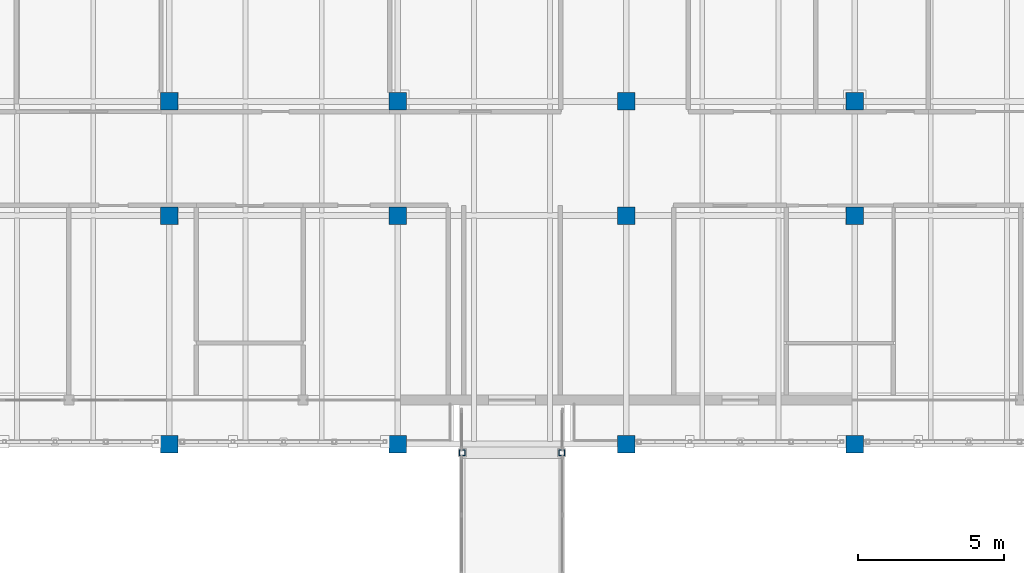
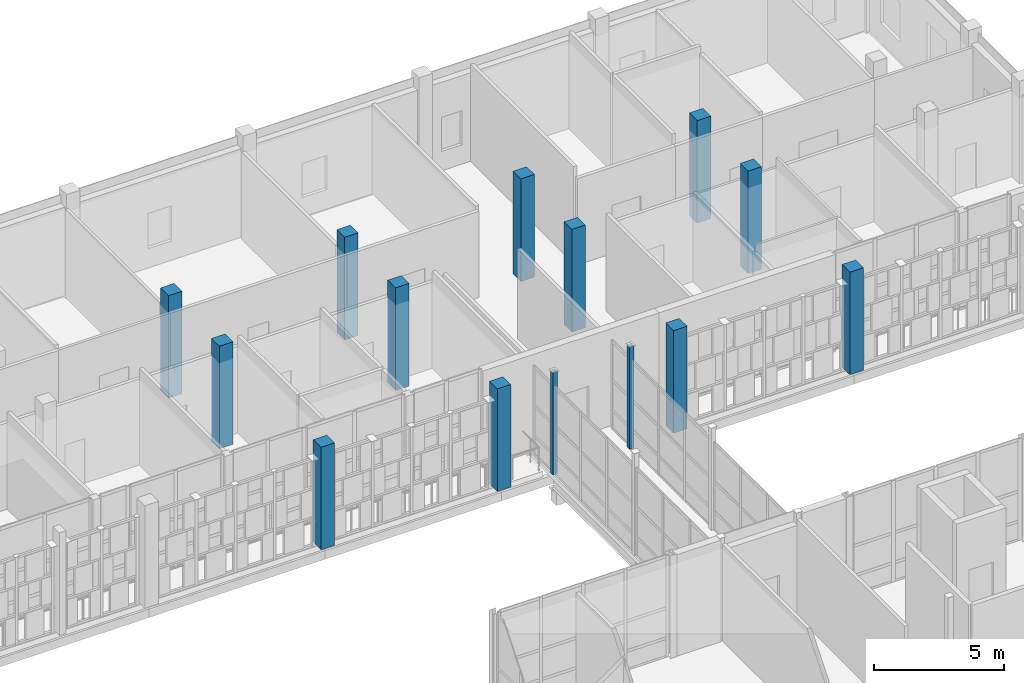
# One storey, part 19 of 138: 14 columns.
"""IFC4 building model written with IfcOpenShell, lengths in metres."""

from ifc_helpers import new_model, si_unit, direction, frame, origin, origin_2d, place, context, subcontext, project, spatial, rectangle, hollow_rectangle, extrude, material, material_profile, profile_set, type_object, element, save


model = new_model("IFC4")

# Units and contexts
model_context = context("Model", 3, precision=1e-05, world=origin(), true_north=direction((0.0, 1.0)))
body_context = subcontext(model_context, "Body", "Model", "MODEL_VIEW")
ifc_project = project(units=[si_unit("LENGTHUNIT", "METRE"), si_unit("AREAUNIT", "SQUARE_METRE"), si_unit("VOLUMEUNIT", "CUBIC_METRE"), si_unit("PLANEANGLEUNIT", "RADIAN"), si_unit("MASSUNIT", "GRAM", prefix="KILO")], contexts=[model_context])

# Site, building, storey
site_placement = place(None, origin())
site = spatial("IfcSite", under=ifc_project, at=site_placement, CompositionType="ELEMENT")
building_placement = place(site_placement, origin())
building = spatial("IfcBuilding", under=site, at=building_placement, Name="Celorna Specialist Clinic", CompositionType="ELEMENT")
storey_placement = place(building_placement, frame((0.0, 0.0, 4.800048828125)))
storey = spatial("IfcBuildingStorey", under=building, at=storey_placement, Name="L01", CompositionType="ELEMENT", Elevation=4.800048828125)

# Columns
ifc_material_1 = material(Name="Concrete C40/50", Category="concrete")
ifc_material_profile_1 = material_profile(ifc_material_1, rectangle(XDim=0.60009765625, YDim=0.60009765625, at=origin_2d()), Name="RC 600x600")
ifc_profile_set_1 = profile_set([ifc_material_profile_1], Name="Concrete C40/50")
column_type_1 = type_object("IfcColumnType", Name="CT-04", PredefinedType="COLUMN", material=ifc_profile_set_1)
for number, where, z_axis, x_axis, name in (
    (1, (132.60009765625, 96.5, 0.0), (0.0, 0.0, 1.0), (1.0, 0.0, 0.0), "Column CT-04 L01 X18/YR"),
    (2, (132.60009765625, 104.300048828125, 0.0), (0.0, 0.0, 1.0), (1.0, 0.0, 0.0), "Column CT-04 L01 X18/YS"),
    (3, (132.60009765625, 108.199951171875, 0.0), (0.0, 0.0, 1.0), (1.0, 0.0, 0.0), "Column CT-04 L01 X18/YT"),
    (4, (140.39990234375, 96.5, 0.0), (0.0, 0.0, 1.0), (1.0, 0.0, 0.0), "Column CT-04 L01 X19/YR"),
    (5, (140.39990234375, 104.300048828125, 0.0), (0.0, 0.0, 1.0), (1.0, 0.0, 0.0), "Column CT-04 L01 X19/YS"),
    (6, (140.39990234375, 108.199951171875, 0.0), (0.0, 0.0, 1.0), (1.0, 0.0, 0.0), "Column CT-04 L01 X19/YT"),
    (7, (148.199951171875, 96.5, 0.0), (0.0, 0.0, 1.0), (1.0, 0.0, 0.0), "Column CT-04 L01 X20/YR"),
    (8, (148.199951171875, 104.300048828125, 0.0), (0.0, 0.0, 1.0), (1.0, 0.0, 0.0), "Column CT-04 L01 X20/YS"),
    (9, (148.199951171875, 108.199951171875, 0.0), (0.0, 0.0, 1.0), (1.0, 0.0, 0.0), "Column CT-04 L01 X20/YT"),
    (10, (156.0, 96.5, 0.0), (0.0, 0.0, 1.0), (1.0, 0.0, 0.0), "Column CT-04 L01 X21/YR"),
    (11, (156.0, 104.300048828125, 0.0), (0.0, 0.0, 1.0), (1.0, 0.0, 0.0), "Column CT-04 L01 X21/YS"),
    (12, (156.0, 108.199951171875, 0.0), (0.0, 0.0, 1.0), (1.0, 0.0, 0.0), "Column CT-04 L01 X21/YT"),
):
    element("IfcColumn", number, at=place(storey_placement, frame(where, z_axis=z_axis, x_axis=x_axis)), inside=storey, type_object=column_type_1, Name=name, PredefinedType="COLUMN", context=body_context, shape_type="SweptSolid", body=[
        extrude(rectangle(XDim=0.60009765625, YDim=0.60009765625, at=origin_2d()), origin(), (0.0, 0.0, 1.0), 4.800048828125),
    ])
ifc_material_2 = material(Name="Steel S355", Category="steel")
ifc_material_profile_2 = material_profile(ifc_material_2, hollow_rectangle(XDim=0.199951171875, YDim=0.199951171875, WallThickness=0.010009765625, at=origin_2d()), Name="SHS 200x200x10")
ifc_profile_set_2 = profile_set([ifc_material_profile_2], Name="Steel S355")
column_type_2 = type_object("IfcColumnType", Name="CT-15", PredefinedType="COLUMN", material=ifc_profile_set_2)
for number, where, z_axis, x_axis, name in (
    (13, (142.60009765625, 96.199951171875, 0.0), (0.0, 0.0, 1.0), (1.0, 0.0, 0.0), "Column CT-15 L01 X19/YR"),
    (14, (146.0, 96.199951171875, 0.0), (0.0, 0.0, 1.0), (1.0, 0.0, 0.0), "Column CT-15 L01 X20/YR"),
):
    element("IfcColumn", number, at=place(storey_placement, frame(where, z_axis=z_axis, x_axis=x_axis)), inside=storey, type_object=column_type_2, Name=name, PredefinedType="COLUMN", context=body_context, shape_type="SweptSolid", body=[
        extrude(hollow_rectangle(XDim=0.199951171875, YDim=0.199951171875, WallThickness=0.010009765625, at=origin_2d()), origin(), (0.0, 0.0, 1.0), 4.800048828125),
    ])

save(model, "model.ifc")
